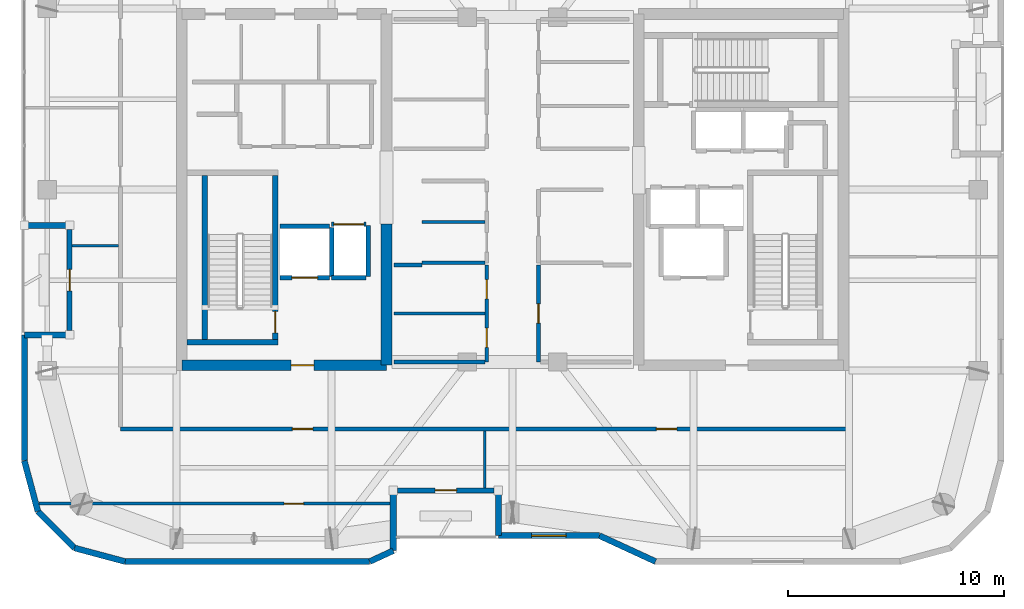
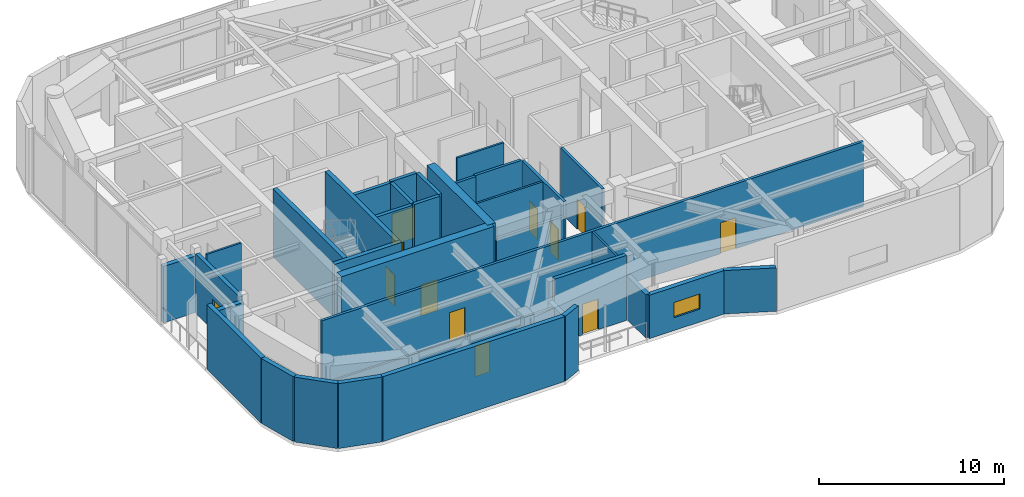
# One storey, part 10 of 15: 36 walls, 12 doors, 1 window, 13 openings.
"""IFC4 building model written with IfcOpenShell, lengths in metres."""

from ifc_helpers import new_model, si_unit, direction, frame, frame_2d, origin, place, context, subcontext, project, spatial, rectangle, extrude, material, layer, layer_set, type_object, element, fill, save


model = new_model("IFC4")

# Units and contexts
model_context = context("Model", 3, precision=1e-05, world=origin(), true_north=direction((0.0, 1.0)))
body_context = subcontext(model_context, "Body", "Model", "MODEL_VIEW")
ifc_project = project(units=[si_unit("LENGTHUNIT", "METRE"), si_unit("AREAUNIT", "SQUARE_METRE"), si_unit("VOLUMEUNIT", "CUBIC_METRE"), si_unit("PLANEANGLEUNIT", "RADIAN"), si_unit("MASSUNIT", "GRAM", prefix="KILO")], contexts=[model_context])

# Site, building, storey
site_placement = place(None, origin())
site = spatial("IfcSite", under=ifc_project, at=site_placement, CompositionType="ELEMENT")
building_placement = place(site_placement, origin())
building = spatial("IfcBuilding", under=site, at=building_placement, Name="Kiyonajd Concourse Tower", CompositionType="ELEMENT")
storey_placement = place(building_placement, frame((0.0, 0.0, 342.0)))
storey = spatial("IfcBuildingStorey", under=building, at=storey_placement, Name="L86", CompositionType="ELEMENT", Elevation=342.0)

# Wall
ifc_material_1 = material(Name="Concrete C60/75", Category="concrete")
ifc_layer_1 = layer(ifc_material_1, 0.5)
ifc_layer_set_1 = layer_set([ifc_layer_1], Name="Concrete C60/75")
wall_type_1 = type_object("IfcWallType", Name="WL-CORE-500", PredefinedType="SHEAR", material=ifc_layer_set_1)
wall_1_placement = place(storey_placement, frame((42.14990234375, 27.85009765625, 0.0), z_axis=(0.0, 0.0, 1.0), x_axis=(0.0, 1.0, 0.0)))
element("IfcWall", 1, at=wall_1_placement, inside=storey, type_object=wall_type_1, Name="L86 West Core Inner South Shear Wall", PredefinedType="SHEAR", context=body_context, shape_type="SweptSolid", body=[
    extrude(rectangle(XDim=6.5498046875, YDim=0.5, at=frame_2d((3.27490234375, 0.0))), origin(), (0.0, 0.0, 1.0), 4.5),
])

# Wall, opening, door
wall_2_placement = place(storey_placement, frame((32.64990234375, 27.85009765625, 0.0), z_axis=(0.0, 0.0, 1.0), x_axis=(1.0, 0.0, 0.0)))
wall_2 = element("IfcWall", 2, at=wall_2_placement, inside=storey, type_object=wall_type_1, Name="L86 West Core South Shear Wall", PredefinedType="SHEAR", context=body_context, shape_type="SweptSolid", body=[
    extrude(rectangle(XDim=9.5, YDim=0.5, at=frame_2d((4.75, 0.0))), origin(), (0.0, 0.0, 1.0), 4.5),
])
opening_1_placement = place(wall_2_placement, frame((5.074951171875, 0.0, 0.0)))
opening_1 = element("IfcOpeningElement", 3, at=opening_1_placement, cuts=wall_2, Name="Opening DF5", PredefinedType="OPENING", context=body_context, shape_type="SweptSolid", body=[
    extrude(rectangle(XDim=1.050048828125, YDim=2.0400390625, at=frame_2d((0.52490234375, 1.02001953125))), frame((0.0, 0.260009765625, 0.0), z_axis=(0.0, -1.0, 0.0), x_axis=(1.0, 0.0, 0.0)), (0.0, 0.0, 1.0), 0.52001953125),
])
ifc_material_2 = material(Name="Brushed Stainless Steel Cab Assembly", Category="steel")
door_type_1 = type_object("IfcDoorType", Name="DR-FD45-1050", OperationType="NOTDEFINED", PredefinedType="DOOR", material=ifc_material_2)
door_1_placement = place(opening_1_placement, origin())
door_1 = element("IfcDoor", 4, at=door_1_placement, inside=storey, type_object=door_type_1, Name="L86 Firefighting Lift Lobby W Smoke Door", OperationType="SINGLE_SWING_LEFT", OverallHeight=2.0400390625, OverallWidth=1.050048828125, PredefinedType="DOOR", context=body_context, shape_type="SweptSolid", body=[
    extrude(rectangle(XDim=1.050048828125, YDim=2.0400390625, at=frame_2d((0.52490234375, 1.02001953125))), frame((0.0, 0.02490234375, 0.0), z_axis=(0.0, -1.0, 0.0), x_axis=(1.0, 0.0, 0.0)), (0.0, 0.0, 1.0), 0.050048828125),
])
fill(opening_1, door_1)

# Walls
ifc_material_3 = material(Name="Precast concrete C50/60", Category="concrete")
ifc_layer_2 = layer(ifc_material_3, 0.280029296875)
ifc_layer_set_2 = layer_set([ifc_layer_2], Name="Precast concrete C50/60")
wall_type_2 = type_object("IfcWallType", Name="WL-EXT-280", PredefinedType="SOLIDWALL", material=ifc_layer_set_2)
wall_3_placement = place(storey_placement, frame((25.968505859375, 21.072509765625, 0.0), z_axis=(0.0, 0.0, 1.0), x_axis=(-0.258751159445, 0.965944013639, 0.0)))
element("IfcWall", 5, at=wall_3_placement, inside=storey, type_object=wall_type_2, Name="L86 Exterior Concrete Frame Wall 00", PredefinedType="SOLIDWALL", context=body_context, shape_type="SweptSolid", body=[
    extrude(rectangle(XDim=2.4287109375, YDim=0.280029296875, at=frame_2d((1.21435546875, 0.0))), origin(), (0.0, 0.0, 1.0), 4.280029296875),
])
wall_4_placement = place(storey_placement, frame((25.340087890625, 23.41845703125, 0.0), z_axis=(0.0, 0.0, 1.0), x_axis=(0.0, 1.0, 0.0)))
element("IfcWall", 6, at=wall_4_placement, inside=storey, type_object=wall_type_2, Name="L86 Exterior Concrete Frame Wall 01", PredefinedType="SOLIDWALL", context=body_context, shape_type="SweptSolid", body=[
    extrude(rectangle(XDim=5.841552734375, YDim=0.280029296875, at=frame_2d((2.9208984375, 0.0))), origin(), (0.0, 0.0, 1.0), 4.280029296875),
])
for number, where, z_axis, x_axis, name in (
    (7, (25.340087890625, 29.260009765625, 0.0), (0.0, 0.0, 1.0), (1.0, 0.0, 0.0), "L86 Exterior Concrete Frame Wall 02"),
    (8, (27.43994140625, 34.340087890625, 0.0), (0.0, 0.0, 1.0), (-1.0, 0.0, 0.0), "L86 Exterior Concrete Frame Wall 04"),
):
    element("IfcWall", number, at=place(storey_placement, frame(where, z_axis=z_axis, x_axis=x_axis)), inside=storey, type_object=wall_type_2, Name=name, PredefinedType="SOLIDWALL", context=body_context, shape_type="SweptSolid", body=[
        extrude(rectangle(XDim=2.099853515625, YDim=0.280029296875, at=frame_2d((1.0498046875, 0.0))), origin(), (0.0, 0.0, 1.0), 3.72607421875),
    ])
wall_5_placement = place(storey_placement, frame((54.630615234375, 18.739990234375, 0.0), z_axis=(0.0, 0.0, 1.0), x_axis=(-0.907956889006, 0.419063584324, 0.0)))
element("IfcWall", 9, at=wall_5_placement, inside=storey, type_object=wall_type_2, Name="L86 Exterior Concrete Frame Wall 29", PredefinedType="SOLIDWALL", context=body_context, shape_type="SweptSolid", body=[
    extrude(rectangle(XDim=2.863525390625, YDim=0.280029296875, at=frame_2d((1.431640625, 0.0))), origin(), (0.0, 0.0, 1.0), 2.864990234375),
])

# Wall, opening, window
wall_6_placement = place(storey_placement, frame((52.03076171875, 19.93994140625, 0.0), z_axis=(0.0, 0.0, 1.0), x_axis=(-1.0, 0.0, 0.0)))
wall_6 = element("IfcWall", 10, at=wall_6_placement, inside=storey, type_object=wall_type_2, Name="L86 Exterior Concrete Frame Wall 30", PredefinedType="SOLIDWALL", context=body_context, shape_type="SweptSolid", body=[
    extrude(rectangle(XDim=4.690673828125, YDim=0.280029296875, at=frame_2d((2.34521484375, 0.0))), origin(), (0.0, 0.0, 1.0), 2.864990234375),
])
opening_2_placement = place(wall_6_placement, frame((1.544921875, 0.0, 0.85009765625)))
opening_2 = element("IfcOpeningElement", 11, at=opening_2_placement, cuts=wall_6, Name="Opening WN6", PredefinedType="OPENING", context=body_context, shape_type="SweptSolid", body=[
    extrude(rectangle(XDim=1.60009765625, YDim=1.0, at=frame_2d((0.800048828125, 0.5))), frame((0.0, 0.14990234375, 0.0), z_axis=(0.0, -1.0, 0.0), x_axis=(1.0, 0.0, 0.0)), (0.0, 0.0, 1.0), 0.300048828125),
])
ifc_material_4 = material(Name="Double Low-E Insulated Glass", Category="glass")
window_type = type_object("IfcWindowType", Name="WN-VIS-1600x1000", PartitioningType="SINGLE_PANEL", PredefinedType="WINDOW", material=ifc_material_4)
window_placement = place(opening_2_placement, origin())
window = element("IfcWindow", 12, at=window_placement, inside=storey, type_object=window_type, Name="L86 Modular Facade Vision Window 30", OverallHeight=1.0, OverallWidth=1.60009765625, PartitioningType="SINGLE_PANEL", PredefinedType="WINDOW", context=body_context, shape_type="SweptSolid", body=[
    extrude(rectangle(XDim=1.60009765625, YDim=1.0, at=frame_2d((0.800048828125, 0.5))), frame((0.0, 0.030029296875, 0.0), z_axis=(0.0, -1.0, 0.0), x_axis=(1.0, 0.0, 0.0)), (0.0, 0.0, 1.0), 0.06005859375),
])
fill(opening_2, window)

# Walls
wall_7_placement = place(storey_placement, frame((47.340087890625, 19.93994140625, 0.0), z_axis=(0.0, 0.0, 1.0), x_axis=(0.0, 1.0, 0.0)))
element("IfcWall", 13, at=wall_7_placement, inside=storey, type_object=wall_type_2, Name="L86 Exterior Concrete Frame Wall 31", PredefinedType="SOLIDWALL", context=body_context, shape_type="SweptSolid", body=[
    extrude(rectangle(XDim=2.10009765625, YDim=0.280029296875, at=frame_2d((1.050048828125, 0.0))), origin(), (0.0, 0.0, 1.0), 2.864990234375),
])
wall_8_placement = place(storey_placement, frame((42.4599609375, 22.0400390625, 0.0), z_axis=(0.0, 0.0, 1.0), x_axis=(0.0, -1.0, 0.0)))
element("IfcWall", 14, at=wall_8_placement, inside=storey, type_object=wall_type_2, Name="L86 Exterior Concrete Frame Wall 33", PredefinedType="SOLIDWALL", context=body_context, shape_type="SweptSolid", body=[
    extrude(rectangle(XDim=2.79638671875, YDim=0.280029296875, at=frame_2d((1.398193359375, 0.0))), origin(), (0.0, 0.0, 1.0), 2.864990234375),
])
wall_9_placement = place(storey_placement, frame((42.4599609375, 19.24365234375, 0.0), z_axis=(0.0, 0.0, 1.0), x_axis=(-0.907893953211, -0.419199916176, 0.0)))
element("IfcWall", 15, at=wall_9_placement, inside=storey, type_object=wall_type_2, Name="L86 Exterior Concrete Frame Wall 34", PredefinedType="SOLIDWALL", context=body_context, shape_type="SweptSolid", body=[
    extrude(rectangle(XDim=1.201416015625, YDim=0.280029296875, at=frame_2d((0.6005859375, 0.0))), origin(), (0.0, 0.0, 1.0), 4.280029296875),
])
wall_10_placement = place(storey_placement, frame((41.369140625, 18.739990234375, 0.0), z_axis=(0.0, 0.0, 1.0), x_axis=(-1.0, 0.0, 0.0)))
element("IfcWall", 16, at=wall_10_placement, inside=storey, type_object=wall_type_2, Name="L86 Exterior Concrete Frame Wall 35", PredefinedType="SOLIDWALL", context=body_context, shape_type="SweptSolid", body=[
    extrude(rectangle(XDim=11.350830078125, YDim=0.280029296875, at=frame_2d((5.67529296875, 0.0))), origin(), (0.0, 0.0, 1.0), 4.280029296875),
])
wall_11_placement = place(storey_placement, frame((30.018310546875, 18.739990234375, 0.0), z_axis=(0.0, 0.0, 1.0), x_axis=(-0.965937282298, 0.25877628691, 0.0)))
element("IfcWall", 17, at=wall_11_placement, inside=storey, type_object=wall_type_2, Name="L86 Exterior Concrete Frame Wall 36", PredefinedType="SOLIDWALL", context=body_context, shape_type="SweptSolid", body=[
    extrude(rectangle(XDim=2.428466796875, YDim=0.280029296875, at=frame_2d((1.21435546875, 0.0))), origin(), (0.0, 0.0, 1.0), 4.280029296875),
])
wall_12_placement = place(storey_placement, frame((27.672607421875, 19.368408203125, 0.0), z_axis=(0.0, 0.0, 1.0), x_axis=(-0.707106781187, 0.707106781187, 0.0)))
element("IfcWall", 18, at=wall_12_placement, inside=storey, type_object=wall_type_2, Name="L86 Exterior Concrete Frame Wall 37", PredefinedType="SOLIDWALL", context=body_context, shape_type="SweptSolid", body=[
    extrude(rectangle(XDim=2.409912109375, YDim=0.280029296875, at=frame_2d((1.205078125, 0.0))), origin(), (0.0, 0.0, 1.0), 4.280029296875),
])

# Wall, opening, door
ifc_layer_3 = layer(ifc_material_3, 0.239990234375)
ifc_layer_set_3 = layer_set([ifc_layer_3], Name="Precast concrete C50/60")
wall_type_3 = type_object("IfcWallType", Name="WL-LOG-240", PredefinedType="SOLIDWALL", material=ifc_layer_set_3)
wall_13_placement = place(storey_placement, frame((27.43994140625, 29.455078125, 0.0), z_axis=(0.0, 0.0, 1.0), x_axis=(0.0, 1.0, 0.0)))
wall_13 = element("IfcWall", 19, at=wall_13_placement, inside=storey, type_object=wall_type_3, Name="L86 Recessed Loggia Thermal Wall LOG-W", PredefinedType="SOLIDWALL", context=body_context, shape_type="SweptSolid", body=[
    extrude(rectangle(XDim=4.68994140625, YDim=0.239990234375, at=frame_2d((2.344970703125, 0.0))), origin(), (0.0, 0.0, 1.0), 3.910888671875),
])
opening_3_placement = place(wall_13_placement, frame((1.844970703125, 0.0, 0.0)))
opening_3 = element("IfcOpeningElement", 20, at=opening_3_placement, cuts=wall_13, Name="Opening DL1", PredefinedType="OPENING", context=body_context, shape_type="SweptSolid", body=[
    extrude(rectangle(XDim=1.0, YDim=2.02001953125, at=frame_2d((0.5, 1.010009765625))), frame((0.0, 0.1298828125, 0.0), z_axis=(0.0, -1.0, 0.0), x_axis=(1.0, 0.0, 0.0)), (0.0, 0.0, 1.0), 0.260009765625),
])
ifc_material_5 = material(Name="Thermally Broken Anodised Aluminium", Category="aluminium")
door_type_2 = type_object("IfcDoorType", Name="DR-LOG-1000", OperationType="NOTDEFINED", PredefinedType="DOOR", material=ifc_material_5)
door_2_placement = place(opening_3_placement, origin())
door_2 = element("IfcDoor", 21, at=door_2_placement, inside=storey, type_object=door_type_2, Name="L86 Engawa Loggia Access Door LOG-W", OperationType="SINGLE_SWING_LEFT", OverallHeight=2.02001953125, OverallWidth=1.0, PredefinedType="DOOR", context=body_context, shape_type="SweptSolid", body=[
    extrude(rectangle(XDim=1.0, YDim=2.02001953125, at=frame_2d((0.5, 1.010009765625))), frame((0.0, 0.02490234375, 0.0), z_axis=(0.0, -1.0, 0.0), x_axis=(1.0, 0.0, 0.0)), (0.0, 0.0, 1.0), 0.050048828125),
])
fill(opening_3, door_2)

wall_14_placement = place(storey_placement, frame((47.14501953125, 22.0400390625, 0.0), z_axis=(0.0, 0.0, 1.0), x_axis=(-1.0, 0.0, 0.0)))
wall_14 = element("IfcWall", 22, at=wall_14_placement, inside=storey, type_object=wall_type_3, Name="L86 Recessed Loggia Thermal Wall LOG-S", PredefinedType="SOLIDWALL", context=body_context, shape_type="SweptSolid", body=[
    extrude(rectangle(XDim=4.489990234375, YDim=0.239990234375, at=frame_2d((2.2451171875, 0.0))), origin(), (0.0, 0.0, 1.0), 4.280029296875),
])
opening_4_placement = place(wall_14_placement, frame((1.7451171875, 0.0, 0.0)))
opening_4 = element("IfcOpeningElement", 23, at=opening_4_placement, cuts=wall_14, Name="Opening DL1", PredefinedType="OPENING", context=body_context, shape_type="SweptSolid", body=[
    extrude(rectangle(XDim=1.0, YDim=2.02001953125, at=frame_2d((0.5, 1.010009765625))), frame((0.0, 0.1298828125, 0.0), z_axis=(0.0, -1.0, 0.0), x_axis=(1.0, 0.0, 0.0)), (0.0, 0.0, 1.0), 0.260009765625),
])
door_3_placement = place(opening_4_placement, origin())
door_3 = element("IfcDoor", 24, at=door_3_placement, inside=storey, type_object=door_type_2, Name="L86 Engawa Loggia Access Door LOG-S", OperationType="SINGLE_SWING_RIGHT", OverallHeight=2.02001953125, OverallWidth=1.0, PredefinedType="DOOR", context=body_context, shape_type="SweptSolid", body=[
    extrude(rectangle(XDim=1.0, YDim=2.02001953125, at=frame_2d((0.5, 1.010009765625))), frame((0.0, 0.02490234375, 0.0), z_axis=(0.0, -1.0, 0.0), x_axis=(1.0, 0.0, 0.0)), (0.0, 0.0, 1.0), 0.050048828125),
])
fill(opening_4, door_3)

# Walls
ifc_material_6 = material(Name="Gypsum Board on Cold-Formed Steel Stud", Category="steel")
ifc_layer_4 = layer(ifc_material_6, 0.125)
ifc_layer_set_4 = layer_set([ifc_layer_4], Name="Gypsum Board on Cold-Formed Steel Stud")
wall_type_4 = type_object("IfcWallType", Name="WL-PART-125", PredefinedType="PARTITIONING", material=ifc_layer_set_4)
wall_15_placement = place(storey_placement, frame((43.800048828125, 34.5, 0.0), z_axis=(0.0, 0.0, 1.0), x_axis=(1.0, 0.0, 0.0)))
element("IfcWall", 25, at=wall_15_placement, inside=storey, type_object=wall_type_4, Name="L86 Interior Partition Wall", PredefinedType="PARTITIONING", context=body_context, shape_type="SweptSolid", body=[
    extrude(rectangle(XDim=2.912841796875, YDim=0.125, at=frame_2d((1.45654296875, 0.0))), origin(), (0.0, 0.0, 1.0), 4.280029296875),
])
wall_16_placement = place(storey_placement, frame((42.5, 30.25, 0.0), z_axis=(0.0, 0.0, 1.0), x_axis=(1.0, 0.0, 0.0)))
element("IfcWall", 26, at=wall_16_placement, inside=storey, type_object=wall_type_4, Name="L86 Interior Partition Wall", PredefinedType="PARTITIONING", context=body_context, shape_type="SweptSolid", body=[
    extrude(rectangle(XDim=4.212890625, YDim=0.125, at=frame_2d((2.1064453125, 0.0))), origin(), (0.0, 0.0, 1.0), 4.280029296875),
])

# Wall, opening, door
wall_17_placement = place(storey_placement, frame((26.01708984375, 21.429931640625, 0.0), z_axis=(0.0, 0.0, 1.0), x_axis=(1.0, 0.0, 0.0)))
wall_17 = element("IfcWall", 27, at=wall_17_placement, inside=storey, type_object=wall_type_4, Name="L86 Interior Partition Wall", PredefinedType="PARTITIONING", context=body_context, shape_type="SweptSolid", body=[
    extrude(rectangle(XDim=16.307861328125, YDim=0.125, at=frame_2d((8.15380859375, 0.0))), origin(), (0.0, 0.0, 1.0), 2.864990234375),
])
opening_5_placement = place(wall_17_placement, frame((11.383056640625, 0.0, 0.0)))
opening_5 = element("IfcOpeningElement", 28, at=opening_5_placement, cuts=wall_17, Name="Opening DI2", PredefinedType="OPENING", context=body_context, shape_type="SweptSolid", body=[
    extrude(rectangle(XDim=0.89990234375, YDim=2.02001953125, at=frame_2d((0.449951171875, 1.010009765625))), frame((0.0, 0.072509765625, 0.0), z_axis=(0.0, -1.0, 0.0), x_axis=(1.0, 0.0, 0.0)), (0.0, 0.0, 1.0), 0.14501953125),
])
ifc_material_7 = material(Name="Natural Oak Acoustic Timber Veneer", Category="wood")
door_type_3 = type_object("IfcDoorType", Name="DR-INT-900", OperationType="NOTDEFINED", PredefinedType="DOOR", material=ifc_material_7)
door_4_placement = place(opening_5_placement, origin())
door_4 = element("IfcDoor", 29, at=door_4_placement, inside=storey, type_object=door_type_3, Name="L86 Interior Door", OperationType="SINGLE_SWING_RIGHT", OverallHeight=2.02001953125, OverallWidth=0.89990234375, PredefinedType="DOOR", context=body_context, shape_type="SweptSolid", body=[
    extrude(rectangle(XDim=0.89990234375, YDim=2.02001953125, at=frame_2d((0.449951171875, 1.010009765625))), frame((0.0, 0.02490234375, 0.0), z_axis=(0.0, -1.0, 0.0), x_axis=(1.0, 0.0, 0.0)), (0.0, 0.0, 1.0), 0.050048828125),
])
fill(opening_5, door_4)

# Walls
wall_18_placement = place(storey_placement, frame((46.699951171875, 22.155029296875, 0.0), z_axis=(0.0, 0.0, 1.0), x_axis=(0.0, 1.0, 0.0)))
element("IfcWall", 30, at=wall_18_placement, inside=storey, type_object=wall_type_4, Name="L86 Interior Partition Wall", PredefinedType="PARTITIONING", context=body_context, shape_type="SweptSolid", body=[
    extrude(rectangle(XDim=2.64794921875, YDim=0.125, at=frame_2d((1.323974609375, 0.0))), origin(), (0.0, 0.0, 1.0), 4.280029296875),
])
wall_19_placement = place(storey_placement, frame((27.554931640625, 33.39990234375, 0.0), z_axis=(0.0, 0.0, 1.0), x_axis=(1.0, 0.0, 0.0)))
element("IfcWall", 31, at=wall_19_placement, inside=storey, type_object=wall_type_4, Name="L86 Interior Partition Wall", PredefinedType="PARTITIONING", context=body_context, shape_type="SweptSolid", body=[
    extrude(rectangle(XDim=2.157958984375, YDim=0.125, at=frame_2d((1.0791015625, 0.0))), origin(), (0.0, 0.0, 1.0), 4.280029296875),
])

# Wall, opening, door
ifc_layer_5 = layer(ifc_material_6, 0.2099609375)
ifc_layer_set_5 = layer_set([ifc_layer_5], Name="Gypsum Board on Cold-Formed Steel Stud")
wall_type_5 = type_object("IfcWallType", Name="WL-SHAFT-210", PredefinedType="PARTITIONING", material=ifc_layer_set_5)
wall_20_placement = place(storey_placement, frame((37.199951171875, 31.89990234375, 0.0), z_axis=(0.0, 0.0, 1.0), x_axis=(1.0, 0.0, 0.0)))
wall_20 = element("IfcWall", 32, at=wall_20_placement, inside=storey, type_object=wall_type_5, Name="L86 Shaft Enclosure Wall", PredefinedType="PARTITIONING", context=body_context, shape_type="SweptSolid", body=[
    extrude(rectangle(XDim=2.300048828125, YDim=0.2099609375, at=frame_2d((1.14990234375, 0.0))), origin(), (0.0, 0.0, 1.0), 4.280029296875),
])
opening_6_placement = place(wall_20_placement, frame((0.550048828125, 0.0, 0.0)))
opening_6 = element("IfcOpeningElement", 33, at=opening_6_placement, cuts=wall_20, Name="Opening LD2", PredefinedType="OPENING", context=body_context, shape_type="SweptSolid", body=[
    extrude(rectangle(XDim=1.199951171875, YDim=2.0400390625, at=frame_2d((0.60009765625, 1.02001953125))), frame((0.0, 0.114990234375, 0.0), z_axis=(0.0, -1.0, 0.0), x_axis=(1.0, 0.0, 0.0)), (0.0, 0.0, 1.0), 0.22998046875),
])
door_type_4 = type_object("IfcDoorType", Name="DR-LD-1200", OperationType="DOUBLE_DOOR_SLIDING", PredefinedType="DOOR", material=ifc_material_2)
door_5_placement = place(opening_6_placement, origin())
door_5 = element("IfcDoor", 34, at=door_5_placement, inside=storey, type_object=door_type_4, Name="L86 Lift FFL1 Sliding Landing Door", OperationType="DOUBLE_DOOR_SLIDING", OverallHeight=2.0400390625, OverallWidth=1.199951171875, PredefinedType="DOOR", context=body_context, shape_type="SweptSolid", body=[
    extrude(rectangle(XDim=1.199951171875, YDim=2.0400390625, at=frame_2d((0.60009765625, 1.02001953125))), frame((0.0, 0.02490234375, 0.0), z_axis=(0.0, -1.0, 0.0), x_axis=(1.0, 0.0, 0.0)), (0.0, 0.0, 1.0), 0.050048828125),
])
fill(opening_6, door_5)

# Walls
wall_21_placement = place(storey_placement, frame((37.199951171875, 34.300048828125, 0.0), z_axis=(0.0, 0.0, 1.0), x_axis=(1.0, 0.0, 0.0)))
element("IfcWall", 35, at=wall_21_placement, inside=storey, type_object=wall_type_5, Name="L86 Shaft Enclosure Wall", PredefinedType="PARTITIONING", context=body_context, shape_type="SweptSolid", body=[
    extrude(rectangle(XDim=2.300048828125, YDim=0.2099609375, at=frame_2d((1.14990234375, 0.0))), origin(), (0.0, 0.0, 1.0), 4.280029296875),
])
wall_22_placement = place(storey_placement, frame((39.60009765625, 31.9599609375, 0.0), z_axis=(0.0, 0.0, 1.0), x_axis=(0.0, 1.0, 0.0)))
element("IfcWall", 36, at=wall_22_placement, inside=storey, type_object=wall_type_5, Name="L86 Shaft Enclosure Wall", PredefinedType="PARTITIONING", context=body_context, shape_type="SweptSolid", body=[
    extrude(rectangle(XDim=2.280029296875, YDim=0.2099609375, at=frame_2d((1.14013671875, 0.0))), origin(), (0.0, 0.0, 1.0), 4.280029296875),
])

# Wall, opening, door
wall_23_placement = place(storey_placement, frame((39.60009765625, 34.39990234375, 0.0), z_axis=(0.0, 0.0, 1.0), x_axis=(1.0, 0.0, 0.0)))
wall_23 = element("IfcWall", 37, at=wall_23_placement, inside=storey, type_object=wall_type_5, Name="L86 Shaft Enclosure Wall", PredefinedType="PARTITIONING", context=body_context, shape_type="SweptSolid", body=[
    extrude(rectangle(XDim=1.599853515625, YDim=0.2099609375, at=frame_2d((0.7998046875, 0.0))), origin(), (0.0, 0.0, 1.0), 4.280029296875),
])
opening_7_placement = place(wall_23_placement, frame((0.10009765625, 0.0, 0.0)))
opening_7 = element("IfcOpeningElement", 38, at=opening_7_placement, cuts=wall_23, Name="Opening LD3", PredefinedType="OPENING", context=body_context, shape_type="SweptSolid", body=[
    extrude(rectangle(XDim=1.39990234375, YDim=2.06005859375, at=frame_2d((0.699951171875, 1.030029296875))), frame((0.0, 0.114990234375, 0.0), z_axis=(0.0, -1.0, 0.0), x_axis=(1.0, 0.0, 0.0)), (0.0, 0.0, 1.0), 0.22998046875),
])
door_type_5 = type_object("IfcDoorType", Name="DR-LD-1400", OperationType="DOUBLE_DOOR_SLIDING", PredefinedType="DOOR", material=ifc_material_2)
door_6_placement = place(opening_7_placement, origin())
door_6 = element("IfcDoor", 39, at=door_6_placement, inside=storey, type_object=door_type_5, Name="L86 Lift SVL1 Sliding Landing Door", OperationType="DOUBLE_DOOR_SLIDING", OverallHeight=2.06005859375, OverallWidth=1.39990234375, PredefinedType="DOOR", context=body_context, shape_type="SweptSolid", body=[
    extrude(rectangle(XDim=1.39990234375, YDim=2.06005859375, at=frame_2d((0.699951171875, 1.030029296875))), frame((0.0, 0.02490234375, 0.0), z_axis=(0.0, -1.0, 0.0), x_axis=(1.0, 0.0, 0.0)), (0.0, 0.0, 1.0), 0.050048828125),
])
fill(opening_7, door_6)

# Walls
wall_24_placement = place(storey_placement, frame((39.60009765625, 31.89990234375, 0.0), z_axis=(0.0, 0.0, 1.0), x_axis=(1.0, 0.0, 0.0)))
element("IfcWall", 40, at=wall_24_placement, inside=storey, type_object=wall_type_5, Name="L86 Shaft Enclosure Wall", PredefinedType="PARTITIONING", context=body_context, shape_type="SweptSolid", body=[
    extrude(rectangle(XDim=1.599853515625, YDim=0.2099609375, at=frame_2d((0.7998046875, 0.0))), origin(), (0.0, 0.0, 1.0), 4.280029296875),
])
wall_25_placement = place(storey_placement, frame((41.300048828125, 31.9599609375, 0.0), z_axis=(0.0, 0.0, 1.0), x_axis=(0.0, 1.0, 0.0)))
element("IfcWall", 41, at=wall_25_placement, inside=storey, type_object=wall_type_5, Name="L86 Shaft Enclosure Wall", PredefinedType="PARTITIONING", context=body_context, shape_type="SweptSolid", body=[
    extrude(rectangle(XDim=2.380126953125, YDim=0.2099609375, at=frame_2d((1.18994140625, 0.0))), origin(), (0.0, 0.0, 1.0), 4.280029296875),
])
ifc_layer_6 = layer(ifc_material_6, 0.169921875)
ifc_layer_set_6 = layer_set([ifc_layer_6], Name="Gypsum Board on Cold-Formed Steel Stud")
wall_type_6 = type_object("IfcWallType", Name="WL-SMK-170", PredefinedType="PARTITIONING", material=ifc_layer_set_6)
wall_26_placement = place(storey_placement, frame((43.800048828125, 32.60009765625, 0.0), z_axis=(0.0, 0.0, 1.0), x_axis=(1.0, 0.0, 0.0)))
element("IfcWall", 42, at=wall_26_placement, inside=storey, type_object=wall_type_6, Name="L86 Interior Partition Wall", PredefinedType="PARTITIONING", context=body_context, shape_type="SweptSolid", body=[
    extrude(rectangle(XDim=2.912841796875, YDim=0.169921875, at=frame_2d((1.45654296875, 0.0))), origin(), (0.0, 0.0, 1.0), 4.280029296875),
])

# Wall, openings, doors
wall_27_placement = place(storey_placement, frame((46.800048828125, 28.0, 0.0), z_axis=(0.0, 0.0, 1.0), x_axis=(0.0, 1.0, 0.0)))
wall_27 = element("IfcWall", 43, at=wall_27_placement, inside=storey, type_object=wall_type_6, Name="L86 Interior Partition Wall", PredefinedType="PARTITIONING", context=body_context, shape_type="SweptSolid", body=[
    extrude(rectangle(XDim=4.5, YDim=0.169921875, at=frame_2d((2.25, 0.0))), origin(), (0.0, 0.0, 1.0), 4.280029296875),
])
opening_8_placement = place(wall_27_placement, frame((0.675048828125, 0.0, 0.0)))
opening_8 = element("IfcOpeningElement", 44, at=opening_8_placement, cuts=wall_27, Name="Opening DI2", PredefinedType="OPENING", context=body_context, shape_type="SweptSolid", body=[
    extrude(rectangle(XDim=0.89990234375, YDim=2.02001953125, at=frame_2d((0.449951171875, 1.010009765625))), frame((0.0, 0.094970703125, 0.0), z_axis=(0.0, -1.0, 0.0), x_axis=(1.0, 0.0, 0.0)), (0.0, 0.0, 1.0), 0.18994140625),
])
opening_9_placement = place(wall_27_placement, frame((2.925048828125, 0.0, 0.0)))
opening_9 = element("IfcOpeningElement", 45, at=opening_9_placement, cuts=wall_27, Name="Opening DI2", PredefinedType="OPENING", context=body_context, shape_type="SweptSolid", body=[
    extrude(rectangle(XDim=0.89990234375, YDim=2.02001953125, at=frame_2d((0.449951171875, 1.010009765625))), frame((0.0, 0.094970703125, 0.0), z_axis=(0.0, -1.0, 0.0), x_axis=(1.0, 0.0, 0.0)), (0.0, 0.0, 1.0), 0.18994140625),
])
door_7_placement = place(opening_8_placement, origin())
door_7 = element("IfcDoor", 46, at=door_7_placement, inside=storey, type_object=door_type_3, Name="L86 Interior Door", OperationType="SINGLE_SWING_RIGHT", OverallHeight=2.02001953125, OverallWidth=0.89990234375, PredefinedType="DOOR", context=body_context, shape_type="SweptSolid", body=[
    extrude(rectangle(XDim=0.89990234375, YDim=2.02001953125, at=frame_2d((0.449951171875, 1.010009765625))), frame((0.0, 0.02490234375, 0.0), z_axis=(0.0, -1.0, 0.0), x_axis=(1.0, 0.0, 0.0)), (0.0, 0.0, 1.0), 0.050048828125),
])
fill(opening_8, door_7)
door_8_placement = place(opening_9_placement, origin())
door_8 = element("IfcDoor", 47, at=door_8_placement, inside=storey, type_object=door_type_3, Name="L86 Interior Door", OperationType="SINGLE_SWING_LEFT", OverallHeight=2.02001953125, OverallWidth=0.89990234375, PredefinedType="DOOR", context=body_context, shape_type="SweptSolid", body=[
    extrude(rectangle(XDim=0.89990234375, YDim=2.02001953125, at=frame_2d((0.449951171875, 1.010009765625))), frame((0.0, 0.02490234375, 0.0), z_axis=(0.0, -1.0, 0.0), x_axis=(1.0, 0.0, 0.0)), (0.0, 0.0, 1.0), 0.050048828125),
])
fill(opening_9, door_8)

# Walls
wall_28_placement = place(storey_placement, frame((42.5, 28.0, 0.0), z_axis=(0.0, 0.0, 1.0), x_axis=(1.0, 0.0, 0.0)))
element("IfcWall", 48, at=wall_28_placement, inside=storey, type_object=wall_type_6, Name="L86 Interior Partition Wall", PredefinedType="PARTITIONING", context=body_context, shape_type="SweptSolid", body=[
    extrude(rectangle(XDim=4.212890625, YDim=0.169921875, at=frame_2d((2.1064453125, 0.0))), origin(), (0.0, 0.0, 1.0), 3.364990234375),
])
wall_29_placement = place(storey_placement, frame((42.5, 32.5, 0.0), z_axis=(0.0, 0.0, 1.0), x_axis=(1.0, 0.0, 0.0)))
element("IfcWall", 49, at=wall_29_placement, inside=storey, type_object=wall_type_6, Name="L86 Interior Partition Wall", PredefinedType="PARTITIONING", context=body_context, shape_type="SweptSolid", body=[
    extrude(rectangle(XDim=1.300048828125, YDim=0.169921875, at=frame_2d((0.64990234375, 0.0))), origin(), (0.0, 0.0, 1.0), 4.280029296875),
])

# Wall, opening, door
wall_30_placement = place(storey_placement, frame((49.199951171875, 28.0, 0.0), z_axis=(0.0, 0.0, 1.0), x_axis=(0.0, 1.0, 0.0)))
wall_30 = element("IfcWall", 50, at=wall_30_placement, inside=storey, type_object=wall_type_6, Name="L86 Interior Partition Wall", PredefinedType="PARTITIONING", context=body_context, shape_type="SweptSolid", body=[
    extrude(rectangle(XDim=4.5, YDim=0.169921875, at=frame_2d((2.25, 0.0))), origin(), (0.0, 0.0, 1.0), 4.280029296875),
])
opening_10_placement = place(wall_30_placement, frame((1.800048828125, 0.0, 0.0)))
opening_10 = element("IfcOpeningElement", 51, at=opening_10_placement, cuts=wall_30, Name="Opening DI2", PredefinedType="OPENING", context=body_context, shape_type="SweptSolid", body=[
    extrude(rectangle(XDim=0.89990234375, YDim=2.02001953125, at=frame_2d((0.449951171875, 1.010009765625))), frame((0.0, 0.094970703125, 0.0), z_axis=(0.0, -1.0, 0.0), x_axis=(1.0, 0.0, 0.0)), (0.0, 0.0, 1.0), 0.18994140625),
])
door_9_placement = place(opening_10_placement, origin())
door_9 = element("IfcDoor", 52, at=door_9_placement, inside=storey, type_object=door_type_3, Name="L86 Interior Door", OperationType="SINGLE_SWING_RIGHT", OverallHeight=2.02001953125, OverallWidth=0.89990234375, PredefinedType="DOOR", context=body_context, shape_type="SweptSolid", body=[
    extrude(rectangle(XDim=0.89990234375, YDim=2.02001953125, at=frame_2d((0.449951171875, 1.010009765625))), frame((0.0, 0.02490234375, 0.0), z_axis=(0.0, -1.0, 0.0), x_axis=(1.0, 0.0, 0.0)), (0.0, 0.0, 1.0), 0.050048828125),
])
fill(opening_10, door_9)

# Wall, openings, doors
wall_31_placement = place(storey_placement, frame((29.800048828125, 24.889892578125, 0.0), z_axis=(0.0, 0.0, 1.0), x_axis=(1.0, 0.0, 0.0)))
wall_31 = element("IfcWall", 53, at=wall_31_placement, inside=storey, type_object=wall_type_6, Name="L86 Interior Partition Wall", PredefinedType="PARTITIONING", context=body_context, shape_type="SweptSolid", body=[
    extrude(rectangle(XDim=33.800048828125, YDim=0.169921875, at=frame_2d((16.89990234375, 0.0))), origin(), (0.0, 0.0, 1.0), 4.280029296875),
])
opening_11_placement = place(wall_31_placement, frame((7.97509765625, 0.0, 0.0)))
opening_11 = element("IfcOpeningElement", 54, at=opening_11_placement, cuts=wall_31, Name="Opening DI1", PredefinedType="OPENING", context=body_context, shape_type="SweptSolid", body=[
    extrude(rectangle(XDim=0.949951171875, YDim=2.0400390625, at=frame_2d((0.47509765625, 1.02001953125))), frame((0.0, 0.094970703125, 0.0), z_axis=(0.0, -1.0, 0.0), x_axis=(1.0, 0.0, 0.0)), (0.0, 0.0, 1.0), 0.18994140625),
])
opening_12_placement = place(wall_31_placement, frame((24.875, 0.0, 0.0)))
opening_12 = element("IfcOpeningElement", 55, at=opening_12_placement, cuts=wall_31, Name="Opening DI1", PredefinedType="OPENING", context=body_context, shape_type="SweptSolid", body=[
    extrude(rectangle(XDim=0.949951171875, YDim=2.0400390625, at=frame_2d((0.47509765625, 1.02001953125))), frame((0.0, 0.094970703125, 0.0), z_axis=(0.0, -1.0, 0.0), x_axis=(1.0, 0.0, 0.0)), (0.0, 0.0, 1.0), 0.18994140625),
])
door_type_6 = type_object("IfcDoorType", Name="DR-INT-950", OperationType="NOTDEFINED", PredefinedType="DOOR", material=ifc_material_7)
door_10_placement = place(opening_11_placement, origin())
door_10 = element("IfcDoor", 56, at=door_10_placement, inside=storey, type_object=door_type_6, Name="L86 Interior Door", OperationType="SINGLE_SWING_LEFT", OverallHeight=2.0400390625, OverallWidth=0.949951171875, PredefinedType="DOOR", context=body_context, shape_type="SweptSolid", body=[
    extrude(rectangle(XDim=0.949951171875, YDim=2.0400390625, at=frame_2d((0.47509765625, 1.02001953125))), frame((0.0, 0.02490234375, 0.0), z_axis=(0.0, -1.0, 0.0), x_axis=(1.0, 0.0, 0.0)), (0.0, 0.0, 1.0), 0.050048828125),
])
fill(opening_11, door_10)
door_11_placement = place(opening_12_placement, origin())
door_11 = element("IfcDoor", 57, at=door_11_placement, inside=storey, type_object=door_type_6, Name="L86 Interior Door", OperationType="SINGLE_SWING_RIGHT", OverallHeight=2.0400390625, OverallWidth=0.949951171875, PredefinedType="DOOR", context=body_context, shape_type="SweptSolid", body=[
    extrude(rectangle(XDim=0.949951171875, YDim=2.0400390625, at=frame_2d((0.47509765625, 1.02001953125))), frame((0.0, 0.02490234375, 0.0), z_axis=(0.0, -1.0, 0.0), x_axis=(1.0, 0.0, 0.0)), (0.0, 0.0, 1.0), 0.050048828125),
])
fill(opening_12, door_11)

# Walls
ifc_material_8 = material(Name="Concrete C50/60", Category="concrete")
ifc_layer_7 = layer(ifc_material_8, 0.260009765625)
ifc_layer_set_7 = layer_set([ifc_layer_7], Name="Concrete C50/60")
wall_type_7 = type_object("IfcWallType", Name="WL-STAIR-260", PredefinedType="SHEAR", material=ifc_layer_set_7)
wall_32_placement = place(storey_placement, frame((32.89990234375, 28.919921875, 0.0), z_axis=(0.0, 0.0, 1.0), x_axis=(1.0, 0.0, 0.0)))
element("IfcWall", 58, at=wall_32_placement, inside=storey, type_object=wall_type_7, Name="L86 Stair ST1 Structural South Wall", PredefinedType="SHEAR", context=body_context, shape_type="SweptSolid", body=[
    extrude(rectangle(XDim=4.210205078125, YDim=0.260009765625, at=frame_2d((2.10498046875, 0.0))), origin(), (0.0, 0.0, 1.0), 4.5),
])
wall_33_placement = place(storey_placement, frame((33.719970703125, 29.050048828125, 0.0), z_axis=(0.0, 0.0, 1.0), x_axis=(0.0, 1.0, 0.0)))
element("IfcWall", 59, at=wall_33_placement, inside=storey, type_object=wall_type_7, Name="L86 Stair ST1 Structural West Wall", PredefinedType="SHEAR", context=body_context, shape_type="SweptSolid", body=[
    extrude(rectangle(XDim=7.599853515625, YDim=0.260009765625, at=frame_2d((3.7998046875, 0.0))), origin(), (0.0, 0.0, 1.0), 4.5),
])

# Wall, opening, door
wall_34_placement = place(storey_placement, frame((36.97998046875, 29.050048828125, 0.0), z_axis=(0.0, 0.0, 1.0), x_axis=(0.0, 1.0, 0.0)))
wall_34 = element("IfcWall", 60, at=wall_34_placement, inside=storey, type_object=wall_type_7, Name="L86 Stair ST1 Structural East Wall", PredefinedType="SHEAR", context=body_context, shape_type="SweptSolid", body=[
    extrude(rectangle(XDim=7.599853515625, YDim=0.260009765625, at=frame_2d((3.7998046875, 0.0))), origin(), (0.0, 0.0, 1.0), 4.5),
])
opening_13_placement = place(wall_34_placement, frame((0.300048828125, 0.0, 0.0)))
opening_13 = element("IfcOpeningElement", 61, at=opening_13_placement, cuts=wall_34, Name="Opening DF1", PredefinedType="OPENING", context=body_context, shape_type="SweptSolid", body=[
    extrude(rectangle(XDim=1.0, YDim=2.0400390625, at=frame_2d((0.5, 1.02001953125))), frame((0.0, 0.139892578125, 0.0), z_axis=(0.0, -1.0, 0.0), x_axis=(1.0, 0.0, 0.0)), (0.0, 0.0, 1.0), 0.280029296875),
])
door_type_7 = type_object("IfcDoorType", Name="DR-FD90-1000", OperationType="NOTDEFINED", PredefinedType="DOOR", material=ifc_material_2)
door_12_placement = place(opening_13_placement, origin())
door_12 = element("IfcDoor", 62, at=door_12_placement, inside=storey, type_object=door_type_7, Name="L86 Stair ST1 FSAE Door", OperationType="SINGLE_SWING_LEFT", OverallHeight=2.0400390625, OverallWidth=1.0, PredefinedType="DOOR", context=body_context, shape_type="SweptSolid", body=[
    extrude(rectangle(XDim=1.0, YDim=2.0400390625, at=frame_2d((0.5, 1.02001953125))), frame((0.0, 0.02490234375, 0.0), z_axis=(0.0, -1.0, 0.0), x_axis=(1.0, 0.0, 0.0)), (0.0, 0.0, 1.0), 0.050048828125),
])
fill(opening_13, door_12)

save(model, "model.ifc")
